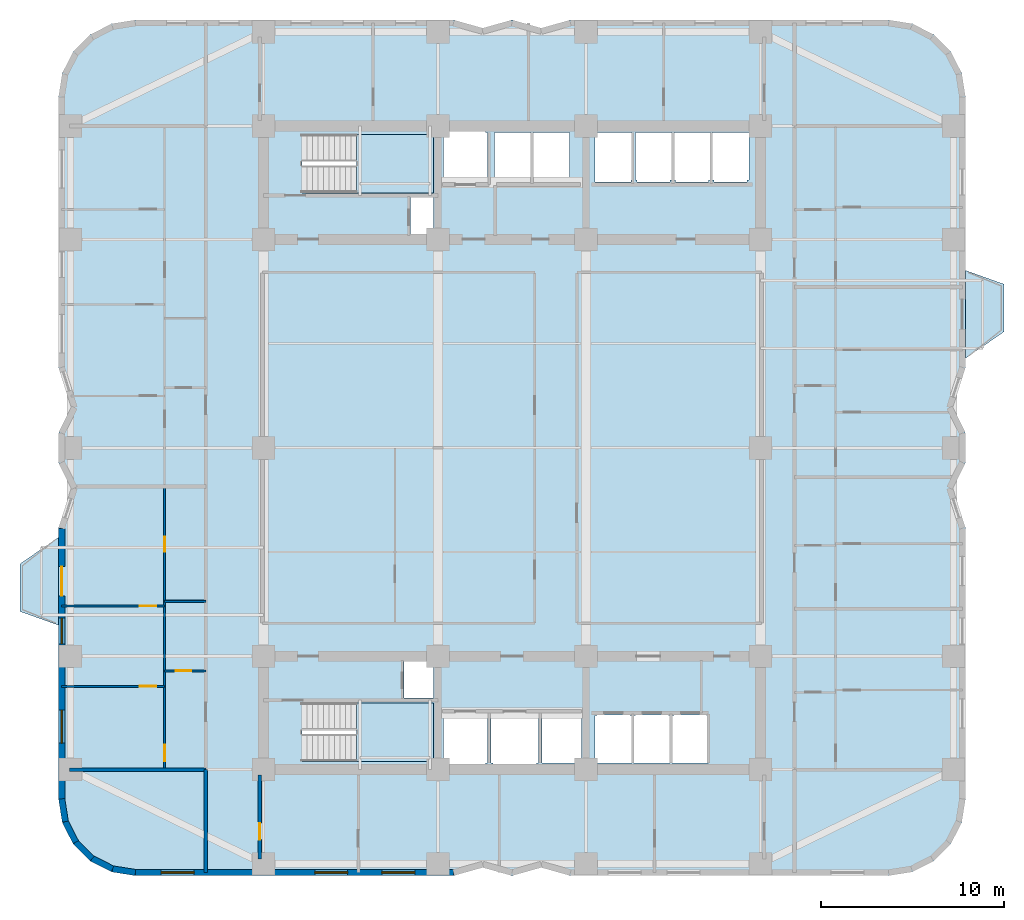
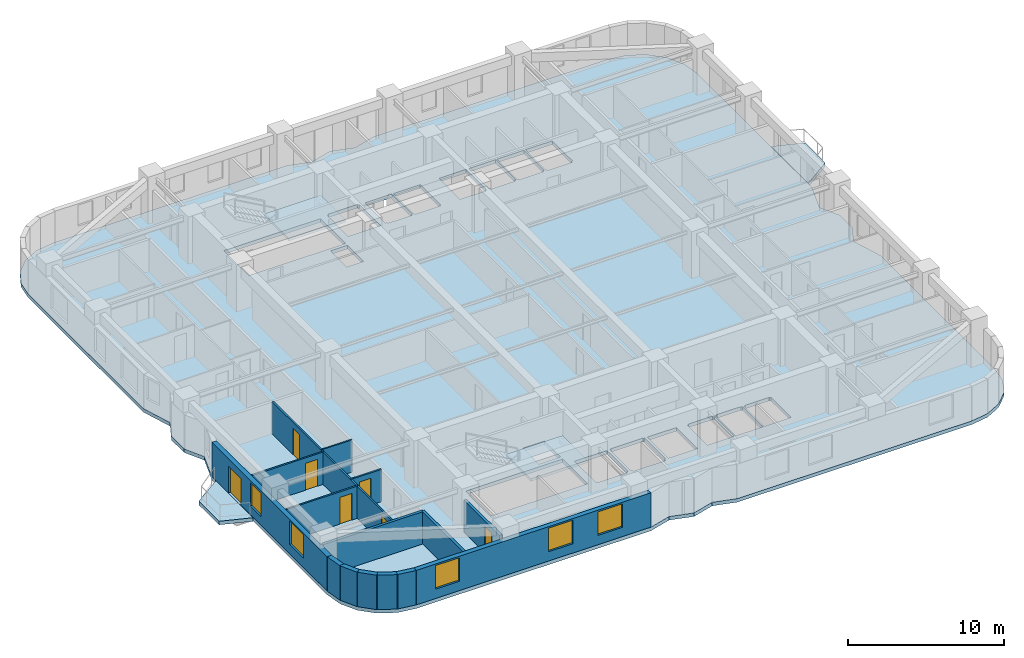
# One storey, part 2 of 9: 15 walls, 7 doors, 5 slabs, 5 windows, 12 openings, 2 elements without a shape of their own.
"""IFC4 building model written with IfcOpenShell, lengths in metres."""

from ifc_helpers import new_model, si_unit, direction, frame, frame_2d, origin, place, context, subcontext, project, spatial, polyline, rectangle, outline, extrude, material, layer, layer_set, type_object, element, fill, aggregate, save


model = new_model("IFC4")

# Units and contexts
model_context = context("Model", 3, precision=1e-05, world=origin(), true_north=direction((0.0, 1.0)))
body_context = subcontext(model_context, "Body", "Model", "MODEL_VIEW")
ifc_project = project(units=[si_unit("LENGTHUNIT", "METRE"), si_unit("AREAUNIT", "SQUARE_METRE"), si_unit("VOLUMEUNIT", "CUBIC_METRE"), si_unit("PLANEANGLEUNIT", "RADIAN"), si_unit("MASSUNIT", "GRAM", prefix="KILO")], contexts=[model_context])

# Site, building, storey
site_placement = place(None, origin())
site = spatial("IfcSite", under=ifc_project, at=site_placement, CompositionType="ELEMENT")
building_placement = place(site_placement, origin())
building = spatial("IfcBuilding", under=site, at=building_placement, Name="Svetorya Sky Lyceum", CompositionType="ELEMENT")
storey_placement = place(building_placement, frame((0.0, 0.0, 62.10009765625)))
storey = spatial("IfcBuildingStorey", under=building, at=storey_placement, Name="L15", CompositionType="ELEMENT", Elevation=62.10009765625)

# Slabs
ifc_material_1 = material(Name="Concrete C40/50", Category="concrete")
ifc_layer_1 = layer(ifc_material_1, 0.280029296875)
ifc_layer_set_1 = layer_set([ifc_layer_1], Name="Concrete C40/50")
slab_type_1 = type_object("IfcSlabType", Name="SL-BAL-280", PredefinedType="FLOOR", material=ifc_layer_set_1)
slab_1_placement = place(storey_placement, frame((0.0, 0.0, -0.280029296875)))
element("IfcSlab", 1, at=slab_1_placement, inside=storey, type_object=slab_type_1, Name="L15 Chamfered Loggia Balcony BAL-W1", PredefinedType="FLOOR", context=body_context, shape_type="SweptSolid", body=[
    extrude(outline(polyline([(14.389892578125, 18.5), (14.389892578125, 23.300048828125), (12.2900390625, 21.85009765625), (12.2900390625, 19.25), (14.389892578125, 18.5)])), origin(), (0.0, 0.0, 1.0), 0.280029296875),
])
slab_2_placement = place(storey_placement, frame((0.0, 0.0, -0.280029296875)))
element("IfcSlab", 2, at=slab_2_placement, inside=storey, type_object=slab_type_1, Name="L15 Chamfered Loggia Balcony BAL-E1", PredefinedType="FLOOR", context=body_context, shape_type="SweptSolid", body=[
    extrude(outline(polyline([(64.010009765625, 33.10009765625), (66.110107421875, 34.550048828125), (66.110107421875, 37.14990234375), (64.010009765625, 37.89990234375), (64.010009765625, 33.10009765625)])), origin(), (0.0, 0.0, 1.0), 0.280029296875),
])

# Stair, slab
stair_type_1 = type_object("IfcStairType", Name="STR-ST-S", PredefinedType="HALF_TURN_STAIR", material=ifc_material_1)
stair_1_placement = place(storey_placement, origin())
stair_1 = element("IfcStair", 3, at=stair_1_placement, inside=storey, type_object=stair_type_1, Name="L15 South Core Smoke-Free Exit Stair N2", PredefinedType="HALF_TURN_STAIR")
ifc_layer_2 = layer(ifc_material_1, 0.199951171875)
ifc_layer_set_2 = layer_set([ifc_layer_2], Name="Concrete C40/50")
slab_type_2 = type_object("IfcSlabType", Name="SL-STR-LAND-200", PredefinedType="LANDING", material=ifc_layer_set_2)
slab_3_placement = place(storey_placement, frame((0.0, 0.0, 1.64990234375)))
slab_3 = element("IfcSlab", 4, at=slab_3_placement, type_object=slab_type_2, Name="ST-S landing 1", PredefinedType="LANDING", context=body_context, shape_type="SweptSolid", body=[
    extrude(outline(polyline([(30.699951171875, 11.050048828125), (34.89990234375, 11.050048828125), (34.89990234375, 14.25), (30.699951171875, 14.25), (30.699951171875, 11.050048828125)])), origin(), (0.0, 0.0, 1.0), 0.199951171875),
])
aggregate(stair_1, [slab_3])

stair_type_2 = type_object("IfcStairType", Name="STR-ST-N", PredefinedType="HALF_TURN_STAIR", material=ifc_material_1)
stair_2_placement = place(storey_placement, origin())
stair_2 = element("IfcStair", 5, at=stair_2_placement, inside=storey, type_object=stair_type_2, Name="L15 North Core Smoke-Free Exit Stair N3", PredefinedType="HALF_TURN_STAIR")
slab_4_placement = place(storey_placement, frame((0.0, 0.0, 1.64990234375)))
slab_4 = element("IfcSlab", 6, at=slab_4_placement, type_object=slab_type_2, Name="ST-N landing 1", PredefinedType="LANDING", context=body_context, shape_type="SweptSolid", body=[
    extrude(outline(polyline([(30.699951171875, 42.14990234375), (34.89990234375, 42.14990234375), (34.89990234375, 45.35009765625), (30.699951171875, 45.35009765625), (30.699951171875, 42.14990234375)])), origin(), (0.0, 0.0, 1.0), 0.199951171875),
])
aggregate(stair_2, [slab_4])

# Slab
ifc_material_2 = material(Name="Concrete C50/60", Category="concrete")
ifc_layer_3 = layer(ifc_material_2, 0.280029296875)
ifc_layer_set_3 = layer_set([ifc_layer_3], Name="Concrete C50/60")
slab_type_3 = type_object("IfcSlabType", Name="SL-TWR-280", PredefinedType="FLOOR", material=ifc_layer_set_3)
slab_5_placement = place(storey_placement, frame((0.0, 0.0, -0.280029296875)))
element("IfcSlab", 7, at=slab_5_placement, inside=storey, type_object=slab_type_3, Name="L15 Structural Floor Slab", PredefinedType="FLOOR", context=body_context, shape_type="SweptSolid", body=[
    extrude(outline(polyline([(14.39990234375, 9.0), (14.605712890625, 7.7021484375), (15.2021484375, 6.53125), (16.13134765625, 5.60205078125), (17.302001953125, 5.005615234375), (18.60009765625, 4.800048828125), (36.0, 4.800048828125), (37.60009765625, 5.25), (39.199951171875, 4.800048828125), (40.800048828125, 5.25), (42.39990234375, 4.800048828125), (59.800048828125, 4.800048828125), (61.097900390625, 5.005615234375), (62.268798828125, 5.60205078125), (63.197998046875, 6.53125), (63.79443359375, 7.7021484375), (64.0, 9.0), (64.0, 23.800048828125), (63.300048828125, 26.0), (64.0, 27.39990234375), (64.0, 29.0), (63.300048828125, 30.39990234375), (64.0, 32.60009765625), (64.0, 47.39990234375), (63.79443359375, 48.697998046875), (63.197998046875, 49.86865234375), (62.268798828125, 50.7978515625), (61.097900390625, 51.394287109375), (59.800048828125, 51.60009765625), (42.39990234375, 51.60009765625), (40.800048828125, 51.14990234375), (39.199951171875, 51.60009765625), (37.60009765625, 51.14990234375), (36.0, 51.60009765625), (18.60009765625, 51.60009765625), (17.302001953125, 51.394287109375), (16.13134765625, 50.7978515625), (15.2021484375, 49.86865234375), (14.605712890625, 48.697998046875), (14.39990234375, 47.39990234375), (14.39990234375, 32.60009765625), (15.10009765625, 30.39990234375), (14.39990234375, 29.0), (14.39990234375, 27.39990234375), (15.10009765625, 26.0), (14.39990234375, 23.800048828125), (14.39990234375, 9.0)]), holes=[polyline([(35.550048828125, 13.64990234375), (37.75, 13.64990234375), (37.85009765625, 13.64990234375), (37.85009765625, 10.949951171875), (37.75, 10.949951171875), (37.75, 10.85009765625), (35.550048828125, 10.85009765625), (35.550048828125, 10.949951171875), (35.449951171875, 10.949951171875), (35.449951171875, 13.64990234375), (35.550048828125, 13.64990234375)]), polyline([(40.64990234375, 10.949951171875), (40.550048828125, 10.949951171875), (40.550048828125, 10.800048828125), (38.14990234375, 10.800048828125), (38.14990234375, 10.949951171875), (38.050048828125, 10.949951171875), (38.050048828125, 13.64990234375), (38.14990234375, 13.64990234375), (38.14990234375, 13.699951171875), (40.550048828125, 13.699951171875), (40.550048828125, 13.64990234375), (40.64990234375, 13.64990234375), (40.64990234375, 10.949951171875)]), polyline([(40.85009765625, 13.64990234375), (43.0, 13.64990234375), (43.0, 10.949951171875), (40.85009765625, 10.949951171875), (40.85009765625, 13.64990234375)]), polyline([(27.719970703125, 14.25), (34.89990234375, 14.25), (34.89990234375, 11.050048828125), (27.719970703125, 11.050048828125), (27.719970703125, 14.25)]), polyline([(33.300048828125, 16.580078125), (34.89990234375, 16.580078125), (34.89990234375, 14.52001953125), (33.300048828125, 14.52001953125), (33.300048828125, 16.580078125)]), polyline([(33.64990234375, 39.820068359375), (33.64990234375, 41.89990234375), (34.89990234375, 41.89990234375), (34.89990234375, 39.820068359375), (33.64990234375, 39.820068359375)]), polyline([(27.719970703125, 45.35009765625), (34.89990234375, 45.35009765625), (34.89990234375, 42.14990234375), (27.719970703125, 42.14990234375), (27.719970703125, 45.35009765625)]), polyline([(35.550048828125, 42.75), (35.449951171875, 42.75), (35.449951171875, 45.449951171875), (35.550048828125, 45.449951171875), (35.550048828125, 45.550048828125), (37.75, 45.550048828125), (37.75, 45.449951171875), (37.85009765625, 45.449951171875), (37.85009765625, 42.75), (37.75, 42.75), (35.550048828125, 42.75)]), polyline([(40.199951171875, 42.85009765625), (40.199951171875, 42.75), (38.39990234375, 42.75), (38.39990234375, 42.85009765625), (38.25, 42.85009765625), (38.25, 45.449951171875), (38.39990234375, 45.449951171875), (40.199951171875, 45.449951171875), (40.25, 45.449951171875), (40.25, 42.85009765625), (40.199951171875, 42.85009765625)]), polyline([(40.39990234375, 42.85009765625), (40.35009765625, 42.85009765625), (40.35009765625, 45.449951171875), (40.39990234375, 45.449951171875), (42.300048828125, 45.449951171875), (42.35009765625, 45.449951171875), (42.35009765625, 42.85009765625), (42.300048828125, 42.85009765625), (42.300048828125, 42.75), (40.39990234375, 42.75), (40.39990234375, 42.85009765625)]), polyline([(43.85009765625, 10.949951171875), (43.75, 10.949951171875), (43.75, 13.550048828125), (43.85009765625, 13.550048828125), (43.85009765625, 13.60009765625), (45.64990234375, 13.60009765625), (45.64990234375, 13.550048828125), (45.75, 13.550048828125), (45.75, 10.949951171875), (45.64990234375, 10.949951171875), (43.85009765625, 10.949951171875)]), polyline([(45.949951171875, 10.949951171875), (45.85009765625, 10.949951171875), (45.85009765625, 13.550048828125), (45.949951171875, 13.550048828125), (45.949951171875, 13.60009765625), (47.75, 13.60009765625), (47.75, 13.550048828125), (47.85009765625, 13.550048828125), (47.85009765625, 10.949951171875), (47.75, 10.949951171875), (45.949951171875, 10.949951171875)]), polyline([(49.85009765625, 13.550048828125), (49.949951171875, 13.550048828125), (49.949951171875, 10.949951171875), (49.85009765625, 10.949951171875), (48.050048828125, 10.949951171875), (47.949951171875, 10.949951171875), (47.949951171875, 13.550048828125), (48.050048828125, 13.550048828125), (48.050048828125, 13.60009765625), (49.85009765625, 13.60009765625), (49.85009765625, 13.550048828125)]), polyline([(43.75, 42.85009765625), (43.75, 45.449951171875), (45.699951171875, 45.449951171875), (45.75, 45.449951171875), (45.75, 42.85009765625), (45.699951171875, 42.85009765625), (45.699951171875, 42.75), (43.75, 42.75), (43.75, 42.85009765625)]), polyline([(46.050048828125, 42.85009765625), (45.949951171875, 42.85009765625), (45.949951171875, 45.449951171875), (46.050048828125, 45.449951171875), (47.85009765625, 45.449951171875), (47.949951171875, 45.449951171875), (47.949951171875, 42.85009765625), (47.85009765625, 42.85009765625), (47.85009765625, 42.75), (46.050048828125, 42.75), (46.050048828125, 42.85009765625)]), polyline([(48.14990234375, 42.85009765625), (48.050048828125, 42.85009765625), (48.050048828125, 45.449951171875), (48.14990234375, 45.449951171875), (49.949951171875, 45.449951171875), (50.050048828125, 45.449951171875), (50.050048828125, 42.85009765625), (49.949951171875, 42.85009765625), (49.949951171875, 42.75), (48.14990234375, 42.75), (48.14990234375, 42.85009765625)]), polyline([(50.25, 42.85009765625), (50.14990234375, 42.85009765625), (50.14990234375, 45.449951171875), (50.25, 45.449951171875), (52.050048828125, 45.449951171875), (52.14990234375, 45.449951171875), (52.14990234375, 42.85009765625), (52.050048828125, 42.85009765625), (52.050048828125, 42.75), (50.25, 42.75), (50.25, 42.85009765625)])]), origin(), (0.0, 0.0, 1.0), 0.280029296875),
])

# Walls
ifc_material_3 = material(Name="Putilovo limestone rainscreen on autoclaved cellular masonry", Category="masonry")
ifc_layer_4 = layer(ifc_material_3, 0.340087890625)
ifc_layer_set_4 = layer_set([ifc_layer_4], Name="Putilovo limestone rainscreen on autoclaved cellular masonry")
wall_type_1 = type_object("IfcWallType", Name="WL-EXT-340", PredefinedType="SOLIDWALL", material=ifc_layer_set_4)
wall_1_placement = place(storey_placement, frame((14.570068359375, 9.0, 0.0), z_axis=(0.0, 0.0, 1.0), x_axis=(0.156260864002, -0.98771582066, 0.0)))
element("IfcWall", 8, at=wall_1_placement, inside=storey, type_object=wall_type_1, Name="L15 Limestone Exterior Wall 1M", PredefinedType="SOLIDWALL", context=body_context, shape_type="SweptSolid", body=[
    extrude(rectangle(XDim=1.2607421875, YDim=0.340087890625, at=frame_2d((0.63037109375, 0.0))), origin(), (0.0, 0.0, 1.0), 2.699951171875),
])
wall_2_placement = place(storey_placement, frame((14.76708984375, 7.754638671875, 0.0), z_axis=(0.0, 0.0, 1.0), x_axis=(0.454015689056, -0.890993689142, 0.0)))
element("IfcWall", 9, at=wall_2_placement, inside=storey, type_object=wall_type_1, Name="L15 Limestone Exterior Wall 2M", PredefinedType="SOLIDWALL", context=body_context, shape_type="SweptSolid", body=[
    extrude(rectangle(XDim=1.260986328125, YDim=0.340087890625, at=frame_2d((0.63037109375, 0.0))), origin(), (0.0, 0.0, 1.0), 2.699951171875),
])
wall_3_placement = place(storey_placement, frame((15.339599609375, 6.631103515625, 0.0), z_axis=(0.0, 0.0, 1.0), x_axis=(0.707203598708, -0.707009950407, 0.0)))
element("IfcWall", 10, at=wall_3_placement, inside=storey, type_object=wall_type_1, Name="L15 Limestone Exterior Wall 3M", PredefinedType="SOLIDWALL", context=body_context, shape_type="SweptSolid", body=[
    extrude(rectangle(XDim=1.2607421875, YDim=0.340087890625, at=frame_2d((0.63037109375, 0.0))), origin(), (0.0, 0.0, 1.0), 2.699951171875),
])
for number, where, z_axis, x_axis, name in (
    (11, (16.231201171875, 5.73974609375, 0.0), (0.0, 0.0, 1.0), (0.890993689142, -0.454015689056, 0.0), "L15 Limestone Exterior Wall 4M"),
    (12, (17.354736328125, 5.167236328125, 0.0), (0.0, 0.0, 1.0), (0.987685918112, -0.15644975923, 0.0), "L15 Limestone Exterior Wall 5M"),
):
    element("IfcWall", number, at=place(storey_placement, frame(where, z_axis=z_axis, x_axis=x_axis)), inside=storey, type_object=wall_type_1, Name=name, PredefinedType="SOLIDWALL", context=body_context, shape_type="SweptSolid", body=[
        extrude(rectangle(XDim=1.260986328125, YDim=0.340087890625, at=frame_2d((0.63037109375, 0.0))), origin(), (0.0, 0.0, 1.0), 2.699951171875),
    ])

# Wall, openings, windows
wall_4_placement = place(storey_placement, frame((18.60009765625, 4.969970703125, 0.0), z_axis=(0.0, 0.0, 1.0), x_axis=(1.0, 0.0, 0.0)))
wall_4 = element("IfcWall", 13, at=wall_4_placement, inside=storey, type_object=wall_type_1, Name="L15 Limestone Exterior Wall 6M", PredefinedType="SOLIDWALL", context=body_context, shape_type="SweptSolid", body=[
    extrude(rectangle(XDim=17.39990234375, YDim=0.340087890625, at=frame_2d((8.699951171875, 0.0))), origin(), (0.0, 0.0, 1.0), 2.699951171875),
])
opening_1_placement = place(wall_4_placement, frame((1.41259765625, 0.0, 0.72998046875)))
opening_1 = element("IfcOpeningElement", 14, at=opening_1_placement, cuts=wall_4, Name="Opening W-R1", PredefinedType="OPENING", context=body_context, shape_type="SweptSolid", body=[
    extrude(rectangle(XDim=1.800048828125, YDim=1.85009765625, at=frame_2d((0.89990234375, 0.925048828125))), frame((0.0, 0.179931640625, 0.0), z_axis=(0.0, -1.0, 0.0), x_axis=(1.0, 0.0, 0.0)), (0.0, 0.0, 1.0), 0.360107421875),
])
opening_2_placement = place(wall_4_placement, frame((9.8125, 0.0, 0.72998046875)))
opening_2 = element("IfcOpeningElement", 15, at=opening_2_placement, cuts=wall_4, Name="Opening W-R1", PredefinedType="OPENING", context=body_context, shape_type="SweptSolid", body=[
    extrude(rectangle(XDim=1.800048828125, YDim=1.85009765625, at=frame_2d((0.89990234375, 0.925048828125))), frame((0.0, 0.179931640625, 0.0), z_axis=(0.0, -1.0, 0.0), x_axis=(1.0, 0.0, 0.0)), (0.0, 0.0, 1.0), 0.360107421875),
])
opening_3_placement = place(wall_4_placement, frame((13.487548828125, 0.0, 0.72998046875)))
opening_3 = element("IfcOpeningElement", 16, at=opening_3_placement, cuts=wall_4, Name="Opening W-R1", PredefinedType="OPENING", context=body_context, shape_type="SweptSolid", body=[
    extrude(rectangle(XDim=1.800048828125, YDim=1.85009765625, at=frame_2d((0.89990234375, 0.925048828125))), frame((0.0, 0.179931640625, 0.0), z_axis=(0.0, -1.0, 0.0), x_axis=(1.0, 0.0, 0.0)), (0.0, 0.0, 1.0), 0.360107421875),
])
ifc_material_4 = material(Name="Thermally broken aluminium frame with triple low-E glazing", Category="aluminium")
window_type_1 = type_object("IfcWindowType", Name="WN-RES-180", PartitioningType="DOUBLE_PANEL_VERTICAL", PredefinedType="WINDOW", material=ifc_material_4)
window_1_placement = place(opening_1_placement, origin())
window_1 = element("IfcWindow", 17, at=window_1_placement, inside=storey, type_object=window_type_1, Name="L15 Facade Window W-R1.6M.1", OverallHeight=1.85009765625, OverallWidth=1.800048828125, PartitioningType="SINGLE_PANEL", PredefinedType="WINDOW", context=body_context, shape_type="SweptSolid", body=[
    extrude(rectangle(XDim=1.800048828125, YDim=1.85009765625, at=frame_2d((0.89990234375, 0.925048828125))), frame((0.0, 0.030029296875, 0.0), z_axis=(0.0, -1.0, 0.0), x_axis=(1.0, 0.0, 0.0)), (0.0, 0.0, 1.0), 0.06005859375),
])
fill(opening_1, window_1)
window_2_placement = place(opening_2_placement, origin())
window_2 = element("IfcWindow", 18, at=window_2_placement, inside=storey, type_object=window_type_1, Name="L15 Facade Window W-R1.6M.2", OverallHeight=1.85009765625, OverallWidth=1.800048828125, PartitioningType="SINGLE_PANEL", PredefinedType="WINDOW", context=body_context, shape_type="SweptSolid", body=[
    extrude(rectangle(XDim=1.800048828125, YDim=1.85009765625, at=frame_2d((0.89990234375, 0.925048828125))), frame((0.0, 0.030029296875, 0.0), z_axis=(0.0, -1.0, 0.0), x_axis=(1.0, 0.0, 0.0)), (0.0, 0.0, 1.0), 0.06005859375),
])
fill(opening_2, window_2)
window_3_placement = place(opening_3_placement, origin())
window_3 = element("IfcWindow", 19, at=window_3_placement, inside=storey, type_object=window_type_1, Name="L15 Facade Window W-R1.6M.3", OverallHeight=1.85009765625, OverallWidth=1.800048828125, PartitioningType="SINGLE_PANEL", PredefinedType="WINDOW", context=body_context, shape_type="SweptSolid", body=[
    extrude(rectangle(XDim=1.800048828125, YDim=1.85009765625, at=frame_2d((0.89990234375, 0.925048828125))), frame((0.0, 0.030029296875, 0.0), z_axis=(0.0, -1.0, 0.0), x_axis=(1.0, 0.0, 0.0)), (0.0, 0.0, 1.0), 0.06005859375),
])
fill(opening_3, window_3)

# Wall, openings, door, windows
wall_5_placement = place(storey_placement, frame((14.570068359375, 23.800048828125, 0.0), z_axis=(0.0, 0.0, 1.0), x_axis=(0.0, -1.0, 0.0)))
wall_5 = element("IfcWall", 20, at=wall_5_placement, inside=storey, type_object=wall_type_1, Name="L15 Limestone Exterior Wall 46M", PredefinedType="SOLIDWALL", context=body_context, shape_type="SweptSolid", body=[
    extrude(rectangle(XDim=14.800048828125, YDim=0.340087890625, at=frame_2d((7.39990234375, 0.0))), origin(), (0.0, 0.0, 1.0), 2.699951171875),
])
opening_4_placement = place(wall_5_placement, frame((2.10009765625, 0.0, 0.0)))
opening_4 = element("IfcOpeningElement", 21, at=opening_4_placement, cuts=wall_5, Name="Opening D-BL1", PredefinedType="OPENING", context=body_context, shape_type="SweptSolid", body=[
    extrude(rectangle(XDim=1.60009765625, YDim=2.10009765625, at=frame_2d((0.800048828125, 1.050048828125))), frame((0.0, 0.179931640625, 0.0), z_axis=(0.0, -1.0, 0.0), x_axis=(1.0, 0.0, 0.0)), (0.0, 0.0, 1.0), 0.360107421875),
])
opening_5_placement = place(wall_5_placement, frame((4.919921875, 0.0, 0.68994140625)))
opening_5 = element("IfcOpeningElement", 22, at=opening_5_placement, cuts=wall_5, Name="Opening W-R2", PredefinedType="OPENING", context=body_context, shape_type="SweptSolid", body=[
    extrude(rectangle(XDim=1.39990234375, YDim=1.85009765625, at=frame_2d((0.699951171875, 0.925048828125))), frame((0.0, 0.179931640625, 0.0), z_axis=(0.0, -1.0, 0.0), x_axis=(1.0, 0.0, 0.0)), (0.0, 0.0, 1.0), 0.360107421875),
])
opening_6_placement = place(wall_5_placement, frame((9.949951171875, 0.0, 0.72998046875)))
opening_6 = element("IfcOpeningElement", 23, at=opening_6_placement, cuts=wall_5, Name="Opening W-R1", PredefinedType="OPENING", context=body_context, shape_type="SweptSolid", body=[
    extrude(rectangle(XDim=1.800048828125, YDim=1.85009765625, at=frame_2d((0.89990234375, 0.925048828125))), frame((0.0, 0.179931640625, 0.0), z_axis=(0.0, -1.0, 0.0), x_axis=(1.0, 0.0, 0.0)), (0.0, 0.0, 1.0), 0.360107421875),
])
ifc_material_5 = material(Name="Insulated glazed aluminium balcony door", Category="aluminium")
door_type_1 = type_object("IfcDoorType", Name="DR-BAL-1600", OperationType="DOUBLE_DOOR_SINGLE_SWING", PredefinedType="DOOR", material=ifc_material_5)
door_1_placement = place(opening_4_placement, origin())
door_1 = element("IfcDoor", 24, at=door_1_placement, inside=storey, type_object=door_type_1, Name="L15 Balcony BAL-W1 Door", OperationType="DOUBLE_DOOR_SINGLE_SWING", OverallHeight=2.10009765625, OverallWidth=1.60009765625, PredefinedType="DOOR", context=body_context, shape_type="SweptSolid", body=[
    extrude(rectangle(XDim=1.60009765625, YDim=2.10009765625, at=frame_2d((0.800048828125, 1.050048828125))), frame((0.0, 0.02490234375, 0.0), z_axis=(0.0, -1.0, 0.0), x_axis=(1.0, 0.0, 0.0)), (0.0, 0.0, 1.0), 0.050048828125),
])
fill(opening_4, door_1)
window_type_2 = type_object("IfcWindowType", Name="WN-RES-140", PartitioningType="SINGLE_PANEL", PredefinedType="WINDOW", material=ifc_material_4)
window_4_placement = place(opening_5_placement, origin())
window_4 = element("IfcWindow", 25, at=window_4_placement, inside=storey, type_object=window_type_2, Name="L15 Facade Window W-R2.46M.2", OverallHeight=1.85009765625, OverallWidth=1.39990234375, PartitioningType="SINGLE_PANEL", PredefinedType="WINDOW", context=body_context, shape_type="SweptSolid", body=[
    extrude(rectangle(XDim=1.39990234375, YDim=1.85009765625, at=frame_2d((0.699951171875, 0.925048828125))), frame((0.0, 0.030029296875, 0.0), z_axis=(0.0, -1.0, 0.0), x_axis=(1.0, 0.0, 0.0)), (0.0, 0.0, 1.0), 0.06005859375),
])
fill(opening_5, window_4)
window_5_placement = place(opening_6_placement, origin())
window_5 = element("IfcWindow", 26, at=window_5_placement, inside=storey, type_object=window_type_1, Name="L15 Facade Window W-R1.46M.1", OverallHeight=1.85009765625, OverallWidth=1.800048828125, PartitioningType="SINGLE_PANEL", PredefinedType="WINDOW", context=body_context, shape_type="SweptSolid", body=[
    extrude(rectangle(XDim=1.800048828125, YDim=1.85009765625, at=frame_2d((0.89990234375, 0.925048828125))), frame((0.0, 0.030029296875, 0.0), z_axis=(0.0, -1.0, 0.0), x_axis=(1.0, 0.0, 0.0)), (0.0, 0.0, 1.0), 0.06005859375),
])
fill(opening_6, window_5)

# Wall
ifc_material_6 = material(Name="Galvanized stud partition with moisture-resistant board", Category="gypsum")
ifc_layer_5 = layer(ifc_material_6, 0.10009765625)
ifc_layer_set_5 = layer_set([ifc_layer_5], Name="Galvanized stud partition with moisture-resistant board")
wall_type_2 = type_object("IfcWallType", Name="WL-PART-100", PredefinedType="PARTITIONING", material=ifc_layer_set_5)
wall_6_placement = place(storey_placement, frame((20.199951171875, 19.800048828125, 0.0), z_axis=(0.0, 0.0, 1.0), x_axis=(1.0, 0.0, 0.0)))
element("IfcWall", 27, at=wall_6_placement, inside=storey, type_object=wall_type_2, Name="L15 Interior Partition W1-WH2", PredefinedType="PARTITIONING", context=body_context, shape_type="SweptSolid", body=[
    extrude(rectangle(XDim=2.25, YDim=0.10009765625, at=frame_2d((1.125, 0.0))), origin(), (0.0, 0.0, 1.0), 2.52978515625),
])

# Wall, opening, door
ifc_material_7 = material(Name="Twin-stud galvanized framing with double fireboard", Category="gypsum")
ifc_layer_6 = layer(ifc_material_7, 0.1201171875)
ifc_layer_set_6 = layer_set([ifc_layer_6], Name="Twin-stud galvanized framing with double fireboard")
wall_type_3 = type_object("IfcWallType", Name="WL-PART-120", PredefinedType="PARTITIONING", material=ifc_layer_set_6)
wall_7_placement = place(storey_placement, frame((20.199951171875, 16.0, 0.0), z_axis=(0.0, 0.0, 1.0), x_axis=(1.0, 0.0, 0.0)))
wall_7 = element("IfcWall", 28, at=wall_7_placement, inside=storey, type_object=wall_type_3, Name="L15 Interior Partition W1-WH1", PredefinedType="PARTITIONING", context=body_context, shape_type="SweptSolid", body=[
    extrude(rectangle(XDim=2.25, YDim=0.1201171875, at=frame_2d((1.125, 0.0))), origin(), (0.0, 0.0, 1.0), 2.52978515625),
])
opening_7_placement = place(wall_7_placement, frame((0.60009765625, 0.0, 0.0)))
opening_7 = element("IfcOpeningElement", 29, at=opening_7_placement, cuts=wall_7, Name="Opening D-BT1", PredefinedType="OPENING", context=body_context, shape_type="SweptSolid", body=[
    extrude(rectangle(XDim=0.85009765625, YDim=2.10009765625, at=frame_2d((0.425048828125, 1.050048828125))), frame((0.0, 0.070068359375, 0.0), z_axis=(0.0, -1.0, 0.0), x_axis=(1.0, 0.0, 0.0)), (0.0, 0.0, 1.0), 0.14013671875),
])
ifc_material_8 = material(Name="Moisture-resistant laminate bathroom door")
door_type_2 = type_object("IfcDoorType", Name="DR-WET-850", OperationType="SINGLE_SWING_LEFT", PredefinedType="DOOR", material=ifc_material_8)
door_2_placement = place(opening_7_placement, origin())
door_2 = element("IfcDoor", 30, at=door_2_placement, inside=storey, type_object=door_type_2, Name="Apartment W1 Bathroom Door", OperationType="SINGLE_SWING_LEFT", OverallHeight=2.10009765625, OverallWidth=0.85009765625, PredefinedType="DOOR", context=body_context, shape_type="SweptSolid", body=[
    extrude(rectangle(XDim=0.85009765625, YDim=2.10009765625, at=frame_2d((0.425048828125, 1.050048828125))), frame((0.0, 0.02490234375, 0.0), z_axis=(0.0, -1.0, 0.0), x_axis=(1.0, 0.0, 0.0)), (0.0, 0.0, 1.0), 0.050048828125),
])
fill(opening_7, door_2)

wall_8_placement = place(storey_placement, frame((14.570068359375, 15.14990234375, 0.0), z_axis=(0.0, 0.0, 1.0), x_axis=(1.0, 0.0, 0.0)))
wall_8 = element("IfcWall", 31, at=wall_8_placement, inside=storey, type_object=wall_type_3, Name="L15 Interior Partition W1-WL1", PredefinedType="PARTITIONING", context=body_context, shape_type="SweptSolid", body=[
    extrude(rectangle(XDim=5.6298828125, YDim=0.1201171875, at=frame_2d((2.81494140625, 0.0))), origin(), (0.0, 0.0, 1.0), 2.52978515625),
])
opening_8_placement = place(wall_8_placement, frame((4.280029296875, 0.0, 0.0)))
opening_8 = element("IfcOpeningElement", 32, at=opening_8_placement, cuts=wall_8, Name="Opening D-RM1", PredefinedType="OPENING", context=body_context, shape_type="SweptSolid", body=[
    extrude(rectangle(XDim=0.89990234375, YDim=2.10009765625, at=frame_2d((0.449951171875, 1.050048828125))), frame((0.0, 0.070068359375, 0.0), z_axis=(0.0, -1.0, 0.0), x_axis=(1.0, 0.0, 0.0)), (0.0, 0.0, 1.0), 0.14013671875),
])
ifc_material_9 = material(Name="Lacquered birch veneer internal door")
door_type_3 = type_object("IfcDoorType", Name="DR-INT-900", OperationType="SINGLE_SWING_LEFT", PredefinedType="DOOR", material=ifc_material_9)
door_3_placement = place(opening_8_placement, origin())
door_3 = element("IfcDoor", 33, at=door_3_placement, inside=storey, type_object=door_type_3, Name="Apartment W1 Master Bedroom Door", OperationType="SINGLE_SWING_LEFT", OverallHeight=2.10009765625, OverallWidth=0.89990234375, PredefinedType="DOOR", context=body_context, shape_type="SweptSolid", body=[
    extrude(rectangle(XDim=0.89990234375, YDim=2.10009765625, at=frame_2d((0.449951171875, 1.050048828125))), frame((0.0, 0.02490234375, 0.0), z_axis=(0.0, -1.0, 0.0), x_axis=(1.0, 0.0, 0.0)), (0.0, 0.0, 1.0), 0.050048828125),
])
fill(opening_8, door_3)

wall_9_placement = place(storey_placement, frame((14.570068359375, 19.550048828125, 0.0), z_axis=(0.0, 0.0, 1.0), x_axis=(1.0, 0.0, 0.0)))
wall_9 = element("IfcWall", 34, at=wall_9_placement, inside=storey, type_object=wall_type_3, Name="L15 Interior Partition W1-WL2", PredefinedType="PARTITIONING", context=body_context, shape_type="SweptSolid", body=[
    extrude(rectangle(XDim=5.6298828125, YDim=0.1201171875, at=frame_2d((2.81494140625, 0.0))), origin(), (0.0, 0.0, 1.0), 2.52978515625),
])
opening_9_placement = place(wall_9_placement, frame((4.280029296875, 0.0, 0.0)))
opening_9 = element("IfcOpeningElement", 35, at=opening_9_placement, cuts=wall_9, Name="Opening D-RM1", PredefinedType="OPENING", context=body_context, shape_type="SweptSolid", body=[
    extrude(rectangle(XDim=0.89990234375, YDim=2.10009765625, at=frame_2d((0.449951171875, 1.050048828125))), frame((0.0, 0.070068359375, 0.0), z_axis=(0.0, -1.0, 0.0), x_axis=(1.0, 0.0, 0.0)), (0.0, 0.0, 1.0), 0.14013671875),
])
door_4_placement = place(opening_9_placement, origin())
door_4 = element("IfcDoor", 36, at=door_4_placement, inside=storey, type_object=door_type_3, Name="Apartment W1 Bedroom 2 Door", OperationType="SINGLE_SWING_RIGHT", OverallHeight=2.10009765625, OverallWidth=0.89990234375, PredefinedType="DOOR", context=body_context, shape_type="SweptSolid", body=[
    extrude(rectangle(XDim=0.89990234375, YDim=2.10009765625, at=frame_2d((0.449951171875, 1.050048828125))), frame((0.0, 0.02490234375, 0.0), z_axis=(0.0, -1.0, 0.0), x_axis=(1.0, 0.0, 0.0)), (0.0, 0.0, 1.0), 0.050048828125),
])
fill(opening_9, door_4)

# Wall, openings, doors
wall_10_placement = place(storey_placement, frame((20.199951171875, 10.639892578125, 0.0), z_axis=(0.0, 0.0, 1.0), x_axis=(0.0, 1.0, 0.0)))
wall_10 = element("IfcWall", 37, at=wall_10_placement, inside=storey, type_object=wall_type_3, Name="L15 Interior Partition W1-WV", PredefinedType="PARTITIONING", context=body_context, shape_type="SweptSolid", body=[
    extrude(rectangle(XDim=15.408203125, YDim=0.1201171875, at=frame_2d((7.7041015625, 0.0))), origin(), (0.0, 0.0, 1.0), 2.52978515625),
])
opening_10_placement = place(wall_10_placement, frame((0.409912109375, 0.0, 0.0)))
opening_10 = element("IfcOpeningElement", 38, at=opening_10_placement, cuts=wall_10, Name="Opening D-RM1", PredefinedType="OPENING", context=body_context, shape_type="SweptSolid", body=[
    extrude(rectangle(XDim=0.89990234375, YDim=2.10009765625, at=frame_2d((0.449951171875, 1.050048828125))), frame((0.0, 0.070068359375, 0.0), z_axis=(0.0, -1.0, 0.0), x_axis=(1.0, 0.0, 0.0)), (0.0, 0.0, 1.0), 0.14013671875),
])
opening_11_placement = place(wall_10_placement, frame((11.87890625, 0.0, 0.0)))
opening_11 = element("IfcOpeningElement", 39, at=opening_11_placement, cuts=wall_10, Name="Opening D-BT2", PredefinedType="OPENING", context=body_context, shape_type="SweptSolid", body=[
    extrude(rectangle(XDim=0.820068359375, YDim=2.080078125, at=frame_2d((0.41015625, 1.0400390625))), frame((0.0, 0.070068359375, 0.0), z_axis=(0.0, -1.0, 0.0), x_axis=(1.0, 0.0, 0.0)), (0.0, 0.0, 1.0), 0.14013671875),
])
door_5_placement = place(opening_10_placement, origin())
door_5 = element("IfcDoor", 40, at=door_5_placement, inside=storey, type_object=door_type_3, Name="Apartment W1 Living Door", OperationType="SINGLE_SWING_RIGHT", OverallHeight=2.10009765625, OverallWidth=0.89990234375, PredefinedType="DOOR", context=body_context, shape_type="SweptSolid", body=[
    extrude(rectangle(XDim=0.89990234375, YDim=2.10009765625, at=frame_2d((0.449951171875, 1.050048828125))), frame((0.0, 0.02490234375, 0.0), z_axis=(0.0, -1.0, 0.0), x_axis=(1.0, 0.0, 0.0)), (0.0, 0.0, 1.0), 0.050048828125),
])
fill(opening_10, door_5)
ifc_material_10 = material(Name="Compact moisture-resistant laminate closet door")
door_type_4 = type_object("IfcDoorType", Name="DR-WET-820", OperationType="SINGLE_SWING_LEFT", PredefinedType="DOOR", material=ifc_material_10)
door_6_placement = place(opening_11_placement, origin())
door_6 = element("IfcDoor", 41, at=door_6_placement, inside=storey, type_object=door_type_4, Name="Apartment W1 Study Door", OperationType="SINGLE_SWING_LEFT", OverallHeight=2.080078125, OverallWidth=0.820068359375, PredefinedType="DOOR", context=body_context, shape_type="SweptSolid", body=[
    extrude(rectangle(XDim=0.820068359375, YDim=2.080078125, at=frame_2d((0.41015625, 1.0400390625))), frame((0.0, 0.02490234375, 0.0), z_axis=(0.0, -1.0, 0.0), x_axis=(1.0, 0.0, 0.0)), (0.0, 0.0, 1.0), 0.050048828125),
])
fill(opening_11, door_6)

# Walls
ifc_material_11 = material(Name="Autoclaved cellular masonry blockwork with gypsum plaster", Category="masonry")
ifc_layer_7 = layer(ifc_material_11, 0.199951171875)
ifc_layer_set_7 = layer_set([ifc_layer_7], Name="Autoclaved cellular masonry blockwork with gypsum plaster")
wall_type_4 = type_object("IfcWallType", Name="WL-PART-200", PredefinedType="PARTITIONING", material=ifc_layer_set_7)
wall_11_placement = place(storey_placement, frame((14.989990234375, 10.60009765625, 0.0), z_axis=(0.0, 0.0, 1.0), x_axis=(1.0, 0.0, 0.0)))
element("IfcWall", 42, at=wall_11_placement, inside=storey, type_object=wall_type_4, Name="L15 Interior Partition W-CAP-S", PredefinedType="PARTITIONING", context=body_context, shape_type="SweptSolid", body=[
    extrude(rectangle(XDim=7.4599609375, YDim=0.199951171875, at=frame_2d((3.72998046875, 0.0))), origin(), (0.0, 0.0, 1.0), 2.52978515625),
])
wall_12_placement = place(storey_placement, frame((22.449951171875, 4.969970703125, 0.0), z_axis=(0.0, 0.0, 1.0), x_axis=(0.0, 1.0, 0.0)))
element("IfcWall", 43, at=wall_12_placement, inside=storey, type_object=wall_type_4, Name="L15 Interior Partition WC-SW-END", PredefinedType="PARTITIONING", context=body_context, shape_type="SweptSolid", body=[
    extrude(rectangle(XDim=5.630126953125, YDim=0.199951171875, at=frame_2d((2.81494140625, 0.0))), origin(), (0.0, 0.0, 1.0), 2.52978515625),
])

# Wall, opening, door
wall_13_placement = place(storey_placement, frame((25.39990234375, 5.719970703125, 0.0), z_axis=(0.0, 0.0, 1.0), x_axis=(0.0, 1.0, 0.0)))
wall_13 = element("IfcWall", 44, at=wall_13_placement, inside=storey, type_object=wall_type_4, Name="L15 Interior Partition S4-EW", PredefinedType="PARTITIONING", context=body_context, shape_type="SweptSolid", body=[
    extrude(rectangle(XDim=4.580078125, YDim=0.199951171875, at=frame_2d((2.2900390625, 0.0))), origin(), (0.0, 0.0, 1.0), 2.52978515625),
])
opening_12_placement = place(wall_13_placement, frame((1.050048828125, 0.0, 0.0)))
opening_12 = element("IfcOpeningElement", 45, at=opening_12_placement, cuts=wall_13, Name="Opening D-RM1", PredefinedType="OPENING", context=body_context, shape_type="SweptSolid", body=[
    extrude(rectangle(XDim=0.89990234375, YDim=2.10009765625, at=frame_2d((0.449951171875, 1.050048828125))), frame((0.0, 0.10986328125, 0.0), z_axis=(0.0, -1.0, 0.0), x_axis=(1.0, 0.0, 0.0)), (0.0, 0.0, 1.0), 0.219970703125),
])
door_7_placement = place(opening_12_placement, origin())
door_7 = element("IfcDoor", 46, at=door_7_placement, inside=storey, type_object=door_type_3, Name="L15 SW Office Door", OperationType="SINGLE_SWING_LEFT", OverallHeight=2.10009765625, OverallWidth=0.89990234375, PredefinedType="DOOR", context=body_context, shape_type="SweptSolid", body=[
    extrude(rectangle(XDim=0.89990234375, YDim=2.10009765625, at=frame_2d((0.449951171875, 1.050048828125))), frame((0.0, 0.02490234375, 0.0), z_axis=(0.0, -1.0, 0.0), x_axis=(1.0, 0.0, 0.0)), (0.0, 0.0, 1.0), 0.050048828125),
])
fill(opening_12, door_7)

save(model, "model.ifc")
